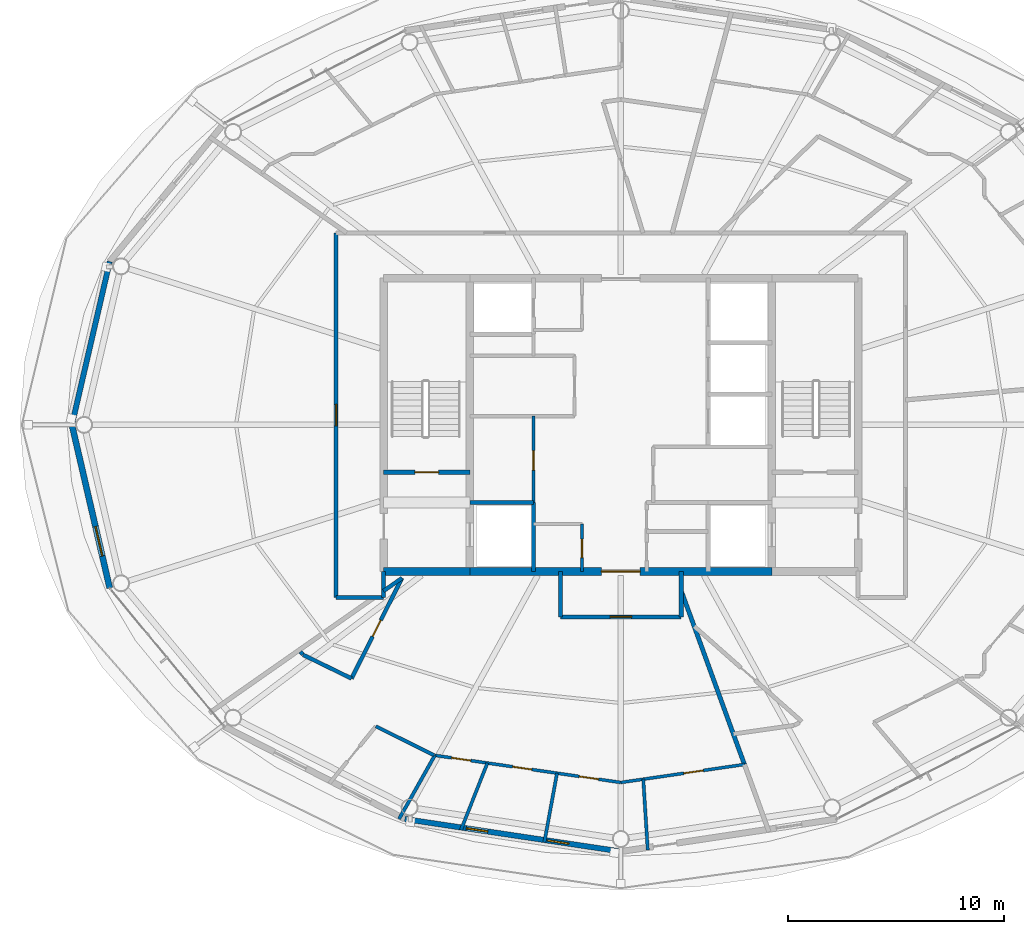
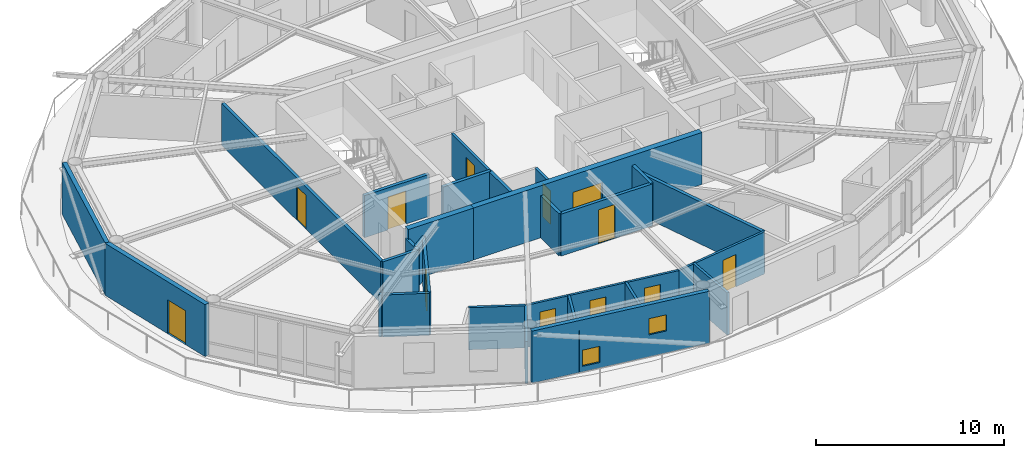
# One storey, part 16 of 23: 28 walls, 12 doors, 2 windows, 14 openings.
"""IFC4 building model written with IfcOpenShell, lengths in metres."""

from ifc_helpers import new_model, si_unit, direction, frame, frame_2d, origin, place, context, subcontext, project, spatial, rectangle, extrude, material, layer, layer_set, type_object, element, fill, save


model = new_model("IFC4")

# Units and contexts
model_context = context("Model", 3, precision=1e-05, world=origin(), true_north=direction((0.0, 1.0)))
body_context = subcontext(model_context, "Body", "Model", "MODEL_VIEW")
ifc_project = project(units=[si_unit("LENGTHUNIT", "METRE"), si_unit("AREAUNIT", "SQUARE_METRE"), si_unit("VOLUMEUNIT", "CUBIC_METRE"), si_unit("PLANEANGLEUNIT", "RADIAN"), si_unit("MASSUNIT", "GRAM", prefix="KILO")], contexts=[model_context])

# Site, building, storey
site_placement = place(None, origin())
site = spatial("IfcSite", under=ifc_project, at=site_placement, CompositionType="ELEMENT")
building_placement = place(site_placement, origin())
building = spatial("IfcBuilding", under=site, at=building_placement, Name="Sarneth Arch Tower", CompositionType="ELEMENT")
storey_placement = place(building_placement, frame((0.0, 0.0, 276.60009765625)))
storey = spatial("IfcBuildingStorey", under=building, at=storey_placement, Name="L71", CompositionType="ELEMENT", Elevation=276.60009765625)

# Wall
ifc_material_1 = material(Name="Concrete C50/60", Category="concrete")
ifc_layer_1 = layer(ifc_material_1, 0.35009765625)
ifc_layer_set_1 = layer_set([ifc_layer_1], Name="Concrete C50/60")
wall_type_1 = type_object("IfcWallType", Name="WALL-CORE-350", PredefinedType="SHEAR", material=ifc_layer_set_1)
wall_1_placement = place(storey_placement, frame((37.0, 35.199951171875, 0.0), z_axis=(0.0, 0.0, 1.0), x_axis=(1.0, 0.0, 0.0)))
element("IfcWall", 1, at=wall_1_placement, inside=storey, type_object=wall_type_1, Name="L71 Core shear wall S-W", PredefinedType="SHEAR", context=body_context, shape_type="SweptSolid", body=[
    extrude(rectangle(XDim=4.0, YDim=0.35009765625, at=frame_2d((2.0, 0.0))), origin(), (0.0, 0.0, 1.0), 3.369873046875),
])

# Wall, opening, door
wall_2_placement = place(storey_placement, frame((41.0, 35.199951171875, 0.0), z_axis=(0.0, 0.0, 1.0), x_axis=(1.0, 0.0, 0.0)))
wall_2 = element("IfcWall", 2, at=wall_2_placement, inside=storey, type_object=wall_type_1, Name="L71 Core shear wall S-M", PredefinedType="SHEAR", context=body_context, shape_type="SweptSolid", body=[
    extrude(rectangle(XDim=14.0, YDim=0.35009765625, at=frame_2d((7.0, 0.0))), origin(), (0.0, 0.0, 1.0), 3.369873046875),
])
opening_1_placement = place(wall_2_placement, frame((6.10009765625, 0.0, 0.0)))
opening_1 = element("IfcOpeningElement", 3, at=opening_1_placement, cuts=wall_2, Name="Opening FD-01", PredefinedType="OPENING", context=body_context, shape_type="SweptSolid", body=[
    extrude(rectangle(XDim=1.800048828125, YDim=2.25, at=frame_2d((0.89990234375, 1.125))), frame((0.0, 0.18505859375, 0.0), z_axis=(0.0, -1.0, 0.0), x_axis=(1.0, 0.0, 0.0)), (0.0, 0.0, 1.0), 0.3701171875),
])
ifc_material_2 = material(Name="Galvanised Steel S275 fire door set", Category="steel")
door_type_1 = type_object("IfcDoorType", Name="DR-FD90-1800", OperationType="DOUBLE_DOOR_SINGLE_SWING", PredefinedType="DOOR", material=ifc_material_2)
door_1_placement = place(opening_1_placement, origin())
door_1 = element("IfcDoor", 4, at=door_1_placement, inside=storey, type_object=door_type_1, Name="L71 Central lift lobby south door", OperationType="DOUBLE_DOOR_SINGLE_SWING", OverallHeight=2.25, OverallWidth=1.800048828125, PredefinedType="DOOR", context=body_context, shape_type="SweptSolid", body=[
    extrude(rectangle(XDim=1.800048828125, YDim=2.25, at=frame_2d((0.89990234375, 1.125))), frame((0.0, 0.02490234375, 0.0), z_axis=(0.0, -1.0, 0.0), x_axis=(1.0, 0.0, 0.0)), (0.0, 0.0, 1.0), 0.050048828125),
])
fill(opening_1, door_1)

ifc_material_3 = material(Name="Double steel-stud corridor fire wall", Category="steel")
ifc_layer_2 = layer(ifc_material_3, 0.18994140625)
ifc_layer_set_2 = layer_set([ifc_layer_2], Name="Double steel-stud corridor fire wall")
wall_type_2 = type_object("IfcWallType", Name="WALL-CORR-190", PredefinedType="PARTITIONING", material=ifc_layer_set_2)
wall_3_placement = place(storey_placement, frame((34.800048828125, 34.0, 0.0), z_axis=(0.0, 0.0, 1.0), x_axis=(0.0, 1.0, 0.0)))
wall_3 = element("IfcWall", 5, at=wall_3_placement, inside=storey, type_object=wall_type_2, Name="L71 Interior partition W-L71-TP-008", PredefinedType="PARTITIONING", context=body_context, shape_type="SweptSolid", body=[
    extrude(rectangle(XDim=16.89990234375, YDim=0.18994140625, at=frame_2d((8.449951171875, 0.0))), origin(), (0.0, 0.0, 1.0), 2.72998046875),
])
opening_2_placement = place(wall_3_placement, frame((7.949951171875, 0.0, 0.0)))
opening_2 = element("IfcOpeningElement", 6, at=opening_2_placement, cuts=wall_3, Name="Opening FD-08", PredefinedType="OPENING", context=body_context, shape_type="SweptSolid", body=[
    extrude(rectangle(XDim=1.0, YDim=2.199951171875, at=frame_2d((0.5, 1.10009765625))), frame((0.0, 0.10498046875, 0.0), z_axis=(0.0, -1.0, 0.0), x_axis=(1.0, 0.0, 0.0)), (0.0, 0.0, 1.0), 0.2099609375),
])
ifc_material_4 = material(Name="Hardwood timber acoustic fire door", Category="wood")
door_type_2 = type_object("IfcDoorType", Name="DR-FD60-1000", OperationType="SINGLE_SWING_LEFT", PredefinedType="DOOR", material=ifc_material_4)
door_2_placement = place(opening_2_placement, origin())
door_2 = element("IfcDoor", 7, at=door_2_placement, inside=storey, type_object=door_type_2, Name="L71 Interior door DR-L71-RAMN-03", OperationType="SINGLE_SWING_LEFT", OverallHeight=2.199951171875, OverallWidth=1.0, PredefinedType="DOOR", context=body_context, shape_type="SweptSolid", body=[
    extrude(rectangle(XDim=1.0, YDim=2.199951171875, at=frame_2d((0.5, 1.10009765625))), frame((0.0, 0.02490234375, 0.0), z_axis=(0.0, -1.0, 0.0), x_axis=(1.0, 0.0, 0.0)), (0.0, 0.0, 1.0), 0.050048828125),
])
fill(opening_2, door_2)

wall_4_placement = place(storey_placement, frame((50.800048828125, 33.10009765625, 0.0), z_axis=(0.0, 0.0, 1.0), x_axis=(-1.0, 0.0, 0.0)))
wall_4 = element("IfcWall", 8, at=wall_4_placement, inside=storey, type_object=wall_type_2, Name="L71 Interior partition W-L71-TP-016", PredefinedType="PARTITIONING", context=body_context, shape_type="SweptSolid", body=[
    extrude(rectangle(XDim=5.60009765625, YDim=0.18994140625, at=frame_2d((2.800048828125, 0.0))), origin(), (0.0, 0.0, 1.0), 2.72998046875),
])
opening_3_placement = place(wall_4_placement, frame((2.300048828125, 0.0, 0.0)))
opening_3 = element("IfcOpeningElement", 9, at=opening_3_placement, cuts=wall_4, Name="Opening FD-08", PredefinedType="OPENING", context=body_context, shape_type="SweptSolid", body=[
    extrude(rectangle(XDim=1.0, YDim=2.199951171875, at=frame_2d((0.5, 1.10009765625))), frame((0.0, 0.10498046875, 0.0), z_axis=(0.0, -1.0, 0.0), x_axis=(1.0, 0.0, 0.0)), (0.0, 0.0, 1.0), 0.2099609375),
])
door_3_placement = place(opening_3_placement, origin())
door_3 = element("IfcDoor", 10, at=door_3_placement, inside=storey, type_object=door_type_2, Name="L71 Interior door DR-L71-U4-ENT", OperationType="SINGLE_SWING_LEFT", OverallHeight=2.199951171875, OverallWidth=1.0, PredefinedType="DOOR", context=body_context, shape_type="SweptSolid", body=[
    extrude(rectangle(XDim=1.0, YDim=2.199951171875, at=frame_2d((0.5, 1.10009765625))), frame((0.0, 0.02490234375, 0.0), z_axis=(0.0, -1.0, 0.0), x_axis=(1.0, 0.0, 0.0)), (0.0, 0.0, 1.0), 0.050048828125),
])
fill(opening_3, door_3)

# Walls
wall_5_placement = place(storey_placement, frame((45.199951171875, 33.10009765625, 0.0), z_axis=(0.0, 0.0, 1.0), x_axis=(0.0, 1.0, 0.0)))
element("IfcWall", 11, at=wall_5_placement, inside=storey, type_object=wall_type_2, Name="L71 Interior partition W-L71-TP-017", PredefinedType="PARTITIONING", context=body_context, shape_type="SweptSolid", body=[
    extrude(rectangle(XDim=2.099853515625, YDim=0.18994140625, at=frame_2d((1.0498046875, 0.0))), origin(), (0.0, 0.0, 1.0), 2.72998046875),
])
wall_6_placement = place(storey_placement, frame((37.0, 34.0, 0.0), z_axis=(0.0, 0.0, 1.0), x_axis=(-1.0, 0.0, 0.0)))
element("IfcWall", 12, at=wall_6_placement, inside=storey, type_object=wall_type_2, Name="L71 Interior partition W-L71-TP-007", PredefinedType="PARTITIONING", context=body_context, shape_type="SweptSolid", body=[
    extrude(rectangle(XDim=2.199951171875, YDim=0.18994140625, at=frame_2d((1.10009765625, 0.0))), origin(), (0.0, 0.0, 1.0), 2.72998046875),
])
wall_7_placement = place(storey_placement, frame((50.800048828125, 35.199951171875, 0.0), z_axis=(0.0, 0.0, 1.0), x_axis=(0.0, -1.0, 0.0)))
element("IfcWall", 13, at=wall_7_placement, inside=storey, type_object=wall_type_2, Name="L71 Interior partition W-L71-TP-015", PredefinedType="PARTITIONING", context=body_context, shape_type="SweptSolid", body=[
    extrude(rectangle(XDim=2.099853515625, YDim=0.18994140625, at=frame_2d((1.0498046875, 0.0))), origin(), (0.0, 0.0, 1.0), 2.72998046875),
])
wall_8_placement = place(storey_placement, frame((37.0, 35.199951171875, 0.0), z_axis=(0.0, 0.0, 1.0), x_axis=(0.0, -1.0, 0.0)))
element("IfcWall", 14, at=wall_8_placement, inside=storey, type_object=wall_type_2, Name="L71 Interior partition W-L71-TP-098", PredefinedType="PARTITIONING", context=body_context, shape_type="SweptSolid", body=[
    extrude(rectangle(XDim=1.199951171875, YDim=0.18994140625, at=frame_2d((0.60009765625, 0.0))), origin(), (0.0, 0.0, 1.0), 2.72998046875),
])
ifc_material_5 = material(Name="Extruded terracotta rainscreen on Concrete C40/50 backing", Category="masonry")
ifc_layer_3 = layer(ifc_material_5, 0.25)
ifc_layer_set_3 = layer_set([ifc_layer_3], Name="Extruded terracotta rainscreen on Concrete C40/50 backing")
wall_type_3 = type_object("IfcWallType", Name="WALL-EXT-SPAND-250", PredefinedType="SOLIDWALL", material=ifc_layer_set_3)
wall_9_placement = place(storey_placement, frame((24.30615234375, 49.569580078125, 0.0), z_axis=(0.0, 0.0, 1.0), x_axis=(-0.225635078214, -0.974211892495, 0.0)))
element("IfcWall", 15, at=wall_9_placement, inside=storey, type_object=wall_type_3, Name="L71 Terracotta perimeter wall 08", PredefinedType="SOLIDWALL", context=body_context, shape_type="SweptSolid", body=[
    extrude(rectangle(XDim=7.77001953125, YDim=0.25, at=frame_2d((3.885009765625, 0.0))), origin(), (0.0, 0.0, 1.0), 3.369873046875),
])

# Wall, openings, windows
wall_10_placement = place(storey_placement, frame((37.9873046875, 23.7255859375, 0.0), z_axis=(0.0, 0.0, 1.0), x_axis=(0.988882522213, -0.148698881169, 0.0)))
wall_10 = element("IfcWall", 16, at=wall_10_placement, inside=storey, type_object=wall_type_3, Name="L71 Terracotta perimeter wall 12", PredefinedType="SOLIDWALL", context=body_context, shape_type="SweptSolid", body=[
    extrude(rectangle(XDim=10.125244140625, YDim=0.25, at=frame_2d((5.0625, 0.0))), origin(), (0.0, 0.0, 1.0), 3.369873046875),
])
opening_4_placement = place(wall_10_placement, frame((2.884765625, 0.0, 0.35009765625)))
opening_4 = element("IfcOpeningElement", 17, at=opening_4_placement, cuts=wall_10, Name="Opening W-14", PredefinedType="OPENING", context=body_context, shape_type="SweptSolid", body=[
    extrude(rectangle(XDim=1.0, YDim=1.050048828125, at=frame_2d((0.5, 0.52490234375))), frame((0.0, 0.135009765625, 0.0), z_axis=(0.0, -1.0, 0.0), x_axis=(1.0, 0.0, 0.0)), (0.0, 0.0, 1.0), 0.27001953125),
])
opening_5_placement = place(wall_10_placement, frame((6.69580078125, 0.0, 1.419921875)))
opening_5 = element("IfcOpeningElement", 18, at=opening_5_placement, cuts=wall_10, Name="Opening W-14", PredefinedType="OPENING", context=body_context, shape_type="SweptSolid", body=[
    extrude(rectangle(XDim=1.0, YDim=1.050048828125, at=frame_2d((0.5, 0.52490234375))), frame((0.0, 0.135009765625, 0.0), z_axis=(0.0, -1.0, 0.0), x_axis=(1.0, 0.0, 0.0)), (0.0, 0.0, 1.0), 0.27001953125),
])
ifc_material_6 = material(Name="Thermally broken Aluminium 6063-T6 and low-e laminated IGU", Category="aluminium")
window_type = type_object("IfcWindowType", Name="WIN-TWR-1000x1050", PartitioningType="SINGLE_PANEL", PredefinedType="WINDOW", material=ifc_material_6)
window_1_placement = place(opening_4_placement, origin())
window_1 = element("IfcWindow", 19, at=window_1_placement, inside=storey, type_object=window_type, Name="L71 Dwelling bedroom window 03", OverallHeight=1.050048828125, OverallWidth=1.0, PartitioningType="SINGLE_PANEL", PredefinedType="WINDOW", context=body_context, shape_type="SweptSolid", body=[
    extrude(rectangle(XDim=1.0, YDim=1.050048828125, at=frame_2d((0.5, 0.52490234375))), frame((0.0, 0.030029296875, 0.0), z_axis=(0.0, -1.0, 0.0), x_axis=(1.0, 0.0, 0.0)), (0.0, 0.0, 1.0), 0.06005859375),
])
fill(opening_4, window_1)
window_2_placement = place(opening_5_placement, origin())
window_2 = element("IfcWindow", 20, at=window_2_placement, inside=storey, type_object=window_type, Name="L71 Dwelling bedroom window 04", OverallHeight=1.050048828125, OverallWidth=1.0, PartitioningType="SINGLE_PANEL", PredefinedType="WINDOW", context=body_context, shape_type="SweptSolid", body=[
    extrude(rectangle(XDim=1.0, YDim=1.050048828125, at=frame_2d((0.5, 0.52490234375))), frame((0.0, 0.030029296875, 0.0), z_axis=(0.0, -1.0, 0.0), x_axis=(1.0, 0.0, 0.0)), (0.0, 0.0, 1.0), 0.06005859375),
])
fill(opening_5, window_2)

# Wall, opening, door
ifc_material_7 = material(Name="Extruded terracotta rainscreen on Concrete C40/50 backing", Category="masonry")
ifc_layer_4 = layer(ifc_material_7, 0.280029296875)
ifc_layer_set_4 = layer_set([ifc_layer_4], Name="Extruded terracotta rainscreen on Concrete C40/50 backing")
wall_type_4 = type_object("IfcWallType", Name="WALL-EXT-TERRA-280", PredefinedType="SOLIDWALL", material=ifc_layer_set_4)
wall_11_placement = place(storey_placement, frame((22.552978515625, 42.0, 0.0), z_axis=(0.0, 0.0, 1.0), x_axis=(0.225635078214, -0.974211892495, 0.0)))
wall_11 = element("IfcWall", 21, at=wall_11_placement, inside=storey, type_object=wall_type_4, Name="L71 Terracotta perimeter wall 09", PredefinedType="SOLIDWALL", context=body_context, shape_type="SweptSolid", body=[
    extrude(rectangle(XDim=7.77001953125, YDim=0.280029296875, at=frame_2d((3.885009765625, 0.0))), origin(), (0.0, 0.0, 1.0), 3.369873046875),
])
opening_6_placement = place(wall_11_placement, frame((4.842041015625, 0.0, 0.0)))
opening_6 = element("IfcOpeningElement", 22, at=opening_6_placement, cuts=wall_11, Name="Opening BD-2", PredefinedType="OPENING", context=body_context, shape_type="SweptSolid", body=[
    extrude(rectangle(XDim=1.39990234375, YDim=2.199951171875, at=frame_2d((0.699951171875, 1.10009765625))), frame((0.0, 0.14990234375, 0.0), z_axis=(0.0, -1.0, 0.0), x_axis=(1.0, 0.0, 0.0)), (0.0, 0.0, 1.0), 0.300048828125),
])
ifc_material_8 = material(Name="Thermally broken Aluminium 6063-T6 and laminated safety glass", Category="aluminium")
door_type_3 = type_object("IfcDoorType", Name="DR-BALC-GLZ-1400", OperationType="SINGLE_SWING_LEFT", PredefinedType="DOOR", material=ifc_material_8)
door_4_placement = place(opening_6_placement, origin())
door_4 = element("IfcDoor", 23, at=door_4_placement, inside=storey, type_object=door_type_3, Name="L71 Balcony glazed door 09", OperationType="SINGLE_SWING_LEFT", OverallHeight=2.199951171875, OverallWidth=1.39990234375, PredefinedType="DOOR", context=body_context, shape_type="SweptSolid", body=[
    extrude(rectangle(XDim=1.39990234375, YDim=2.199951171875, at=frame_2d((0.699951171875, 1.10009765625))), frame((0.0, 0.02490234375, 0.0), z_axis=(0.0, -1.0, 0.0), x_axis=(1.0, 0.0, 0.0)), (0.0, 0.0, 1.0), 0.050048828125),
])
fill(opening_6, door_4)

ifc_material_9 = material(Name="Apartment internal stud partition", Category="gypsum")
ifc_layer_5 = layer(ifc_material_9, 0.139892578125)
ifc_layer_set_5 = layer_set([ifc_layer_5], Name="Apartment internal stud partition")
wall_type_5 = type_object("IfcWallType", Name="WALL-PART-140", PredefinedType="PARTITIONING", material=ifc_layer_set_5)
wall_12_placement = place(storey_placement, frame((53.73046875, 26.255615234375, 0.0), z_axis=(0.0, 0.0, 1.0), x_axis=(-0.989539000253, -0.144265612597, 0.0)))
wall_12 = element("IfcWall", 24, at=wall_12_placement, inside=storey, type_object=wall_type_5, Name="L71 Interior partition W-L71-TP-072", PredefinedType="PARTITIONING", context=body_context, shape_type="SweptSolid", body=[
    extrude(rectangle(XDim=5.791015625, YDim=0.139892578125, at=frame_2d((2.8955078125, 0.0))), origin(), (0.0, 0.0, 1.0), 2.72998046875),
])
opening_7_placement = place(wall_12_placement, frame((1.93603515625, 0.0, 0.0)))
opening_7 = element("IfcOpeningElement", 25, at=opening_7_placement, cuts=wall_12, Name="Opening ID-01", PredefinedType="OPENING", context=body_context, shape_type="SweptSolid", body=[
    extrude(rectangle(XDim=0.89990234375, YDim=2.10009765625, at=frame_2d((0.449951171875, 1.050048828125))), frame((0.0, 0.079833984375, 0.0), z_axis=(0.0, -1.0, 0.0), x_axis=(1.0, 0.0, 0.0)), (0.0, 0.0, 1.0), 0.159912109375),
])
ifc_material_10 = material(Name="Engineered hardwood flush door", Category="wood")
door_type_4 = type_object("IfcDoorType", Name="DR-INT-900", OperationType="SINGLE_SWING_LEFT", PredefinedType="DOOR", material=ifc_material_10)
door_5_placement = place(opening_7_placement, origin())
door_5 = element("IfcDoor", 26, at=door_5_placement, inside=storey, type_object=door_type_4, Name="L71 Interior door DR-L71-U4-BED3", OperationType="SINGLE_SWING_RIGHT", OverallHeight=2.10009765625, OverallWidth=0.89990234375, PredefinedType="DOOR", context=body_context, shape_type="SweptSolid", body=[
    extrude(rectangle(XDim=0.89990234375, YDim=2.10009765625, at=frame_2d((0.449951171875, 1.050048828125))), frame((0.0, 0.02490234375, 0.0), z_axis=(0.0, -1.0, 0.0), x_axis=(1.0, 0.0, 0.0)), (0.0, 0.0, 1.0), 0.050048828125),
])
fill(opening_7, door_5)

# Wall, openings, doors
wall_13_placement = place(storey_placement, frame((48.0, 25.419921875, 0.0), z_axis=(0.0, 0.0, 1.0), x_axis=(-0.989534564718, 0.144296033307, 0.0)))
wall_13 = element("IfcWall", 27, at=wall_13_placement, inside=storey, type_object=wall_type_5, Name="L71 Interior partition W-L71-TP-069", PredefinedType="PARTITIONING", context=body_context, shape_type="SweptSolid", body=[
    extrude(rectangle(XDim=8.713623046875, YDim=0.139892578125, at=frame_2d((4.35693359375, 0.0))), origin(), (0.0, 0.0, 1.0), 2.72998046875),
])
opening_8_placement = place(wall_13_placement, frame((4.1708984375, 0.0, 0.0)))
opening_8 = element("IfcOpeningElement", 28, at=opening_8_placement, cuts=wall_13, Name="Opening ID-01", PredefinedType="OPENING", context=body_context, shape_type="SweptSolid", body=[
    extrude(rectangle(XDim=0.89990234375, YDim=2.10009765625, at=frame_2d((0.449951171875, 1.050048828125))), frame((0.0, 0.079833984375, 0.0), z_axis=(0.0, -1.0, 0.0), x_axis=(1.0, 0.0, 0.0)), (0.0, 0.0, 1.0), 0.159912109375),
])
opening_9_placement = place(wall_13_placement, frame((1.044677734375, 0.0, 0.0)))
opening_9 = element("IfcOpeningElement", 29, at=opening_9_placement, cuts=wall_13, Name="Opening ID-01", PredefinedType="OPENING", context=body_context, shape_type="SweptSolid", body=[
    extrude(rectangle(XDim=0.89990234375, YDim=2.10009765625, at=frame_2d((0.449951171875, 1.050048828125))), frame((0.0, 0.079833984375, 0.0), z_axis=(0.0, -1.0, 0.0), x_axis=(1.0, 0.0, 0.0)), (0.0, 0.0, 1.0), 0.159912109375),
])
opening_10_placement = place(wall_13_placement, frame((7.03271484375, 0.0, 0.0)))
opening_10 = element("IfcOpeningElement", 30, at=opening_10_placement, cuts=wall_13, Name="Opening ID-01", PredefinedType="OPENING", context=body_context, shape_type="SweptSolid", body=[
    extrude(rectangle(XDim=0.89990234375, YDim=2.10009765625, at=frame_2d((0.449951171875, 1.050048828125))), frame((0.0, 0.079833984375, 0.0), z_axis=(0.0, -1.0, 0.0), x_axis=(1.0, 0.0, 0.0)), (0.0, 0.0, 1.0), 0.159912109375),
])
door_6_placement = place(opening_8_placement, origin())
door_6 = element("IfcDoor", 31, at=door_6_placement, inside=storey, type_object=door_type_4, Name="L71 Interior door DR-L71-U4-BED1", OperationType="SINGLE_SWING_LEFT", OverallHeight=2.10009765625, OverallWidth=0.89990234375, PredefinedType="DOOR", context=body_context, shape_type="SweptSolid", body=[
    extrude(rectangle(XDim=0.89990234375, YDim=2.10009765625, at=frame_2d((0.449951171875, 1.050048828125))), frame((0.0, 0.02490234375, 0.0), z_axis=(0.0, -1.0, 0.0), x_axis=(1.0, 0.0, 0.0)), (0.0, 0.0, 1.0), 0.050048828125),
])
fill(opening_8, door_6)
door_7_placement = place(opening_9_placement, origin())
door_7 = element("IfcDoor", 32, at=door_7_placement, inside=storey, type_object=door_type_4, Name="L71 Interior door DR-L71-U4-BED2", OperationType="SINGLE_SWING_RIGHT", OverallHeight=2.10009765625, OverallWidth=0.89990234375, PredefinedType="DOOR", context=body_context, shape_type="SweptSolid", body=[
    extrude(rectangle(XDim=0.89990234375, YDim=2.10009765625, at=frame_2d((0.449951171875, 1.050048828125))), frame((0.0, 0.02490234375, 0.0), z_axis=(0.0, -1.0, 0.0), x_axis=(1.0, 0.0, 0.0)), (0.0, 0.0, 1.0), 0.050048828125),
])
fill(opening_9, door_7)
door_8_placement = place(opening_10_placement, origin())
door_8 = element("IfcDoor", 33, at=door_8_placement, inside=storey, type_object=door_type_4, Name="L71 Interior door DR-L71-U4-STD", OperationType="SINGLE_SWING_LEFT", OverallHeight=2.10009765625, OverallWidth=0.89990234375, PredefinedType="DOOR", context=body_context, shape_type="SweptSolid", body=[
    extrude(rectangle(XDim=0.89990234375, YDim=2.10009765625, at=frame_2d((0.449951171875, 1.050048828125))), frame((0.0, 0.02490234375, 0.0), z_axis=(0.0, -1.0, 0.0), x_axis=(1.0, 0.0, 0.0)), (0.0, 0.0, 1.0), 0.050048828125),
])
fill(opening_10, door_8)

# Wall, opening, door
ifc_material_11 = material(Name="Acoustic gypsum stud partition", Category="gypsum")
ifc_layer_6 = layer(ifc_material_11, 0.14990234375)
ifc_layer_set_6 = layer_set([ifc_layer_6], Name="Acoustic gypsum stud partition")
wall_type_6 = type_object("IfcWallType", Name="WALL-PART-150", PredefinedType="PARTITIONING", material=ifc_layer_set_6)
wall_14_placement = place(storey_placement, frame((43.949951171875, 38.39990234375, 0.0), z_axis=(0.0, 0.0, 1.0), x_axis=(0.0, 1.0, 0.0)))
wall_14 = element("IfcWall", 34, at=wall_14_placement, inside=storey, type_object=wall_type_6, Name="L71 Interior partition W-L71-RECPL-E", PredefinedType="PARTITIONING", context=body_context, shape_type="SweptSolid", body=[
    extrude(rectangle(XDim=4.0, YDim=0.14990234375, at=frame_2d((2.0, 0.0))), origin(), (0.0, 0.0, 1.0), 2.72998046875),
])
opening_11_placement = place(wall_14_placement, frame((1.5, 0.0, 0.0)))
opening_11 = element("IfcOpeningElement", 35, at=opening_11_placement, cuts=wall_14, Name="Opening FD-10", PredefinedType="OPENING", context=body_context, shape_type="SweptSolid", body=[
    extrude(rectangle(XDim=0.89990234375, YDim=2.14990234375, at=frame_2d((0.449951171875, 1.074951171875))), frame((0.0, 0.0849609375, 0.0), z_axis=(0.0, -1.0, 0.0), x_axis=(1.0, 0.0, 0.0)), (0.0, 0.0, 1.0), 0.169921875),
])
ifc_material_12 = material(Name="Galvanised Steel S275 riser/service fire door", Category="steel")
door_type_5 = type_object("IfcDoorType", Name="DR-FD60-900", OperationType="SINGLE_SWING_LEFT", PredefinedType="DOOR", material=ifc_material_12)
door_9_placement = place(opening_11_placement, origin())
door_9 = element("IfcDoor", 36, at=door_9_placement, inside=storey, type_object=door_type_5, Name="L71 Interior door DR-L71-RECPL", OperationType="SINGLE_SWING_LEFT", OverallHeight=2.14990234375, OverallWidth=0.89990234375, PredefinedType="DOOR", context=body_context, shape_type="SweptSolid", body=[
    extrude(rectangle(XDim=0.89990234375, YDim=2.14990234375, at=frame_2d((0.449951171875, 1.074951171875))), frame((0.0, 0.02490234375, 0.0), z_axis=(0.0, -1.0, 0.0), x_axis=(1.0, 0.0, 0.0)), (0.0, 0.0, 1.0), 0.050048828125),
])
fill(opening_11, door_9)

wall_15_placement = place(storey_placement, frame((46.199951171875, 35.199951171875, 0.0), z_axis=(0.0, 0.0, 1.0), x_axis=(0.0, 1.0, 0.0)))
wall_15 = element("IfcWall", 37, at=wall_15_placement, inside=storey, type_object=wall_type_6, Name="L71 Interior partition W-L71-CSUP1-E", PredefinedType="PARTITIONING", context=body_context, shape_type="SweptSolid", body=[
    extrude(rectangle(XDim=2.199951171875, YDim=0.14990234375, at=frame_2d((1.10009765625, 0.0))), origin(), (0.0, 0.0, 1.0), 2.72998046875),
])
opening_12_placement = place(wall_15_placement, frame((0.64990234375, 0.0, 0.0)))
opening_12 = element("IfcOpeningElement", 38, at=opening_12_placement, cuts=wall_15, Name="Opening FD-11", PredefinedType="OPENING", context=body_context, shape_type="SweptSolid", body=[
    extrude(rectangle(XDim=0.85009765625, YDim=2.14990234375, at=frame_2d((0.425048828125, 1.074951171875))), frame((0.0, 0.0849609375, 0.0), z_axis=(0.0, -1.0, 0.0), x_axis=(1.0, 0.0, 0.0)), (0.0, 0.0, 1.0), 0.169921875),
])
ifc_material_13 = material(Name="Galvanised Steel S275 closet fire door", Category="steel")
door_type_6 = type_object("IfcDoorType", Name="DR-FD60-850", OperationType="SINGLE_SWING_LEFT", PredefinedType="DOOR", material=ifc_material_13)
door_10_placement = place(opening_12_placement, origin())
door_10 = element("IfcDoor", 39, at=door_10_placement, inside=storey, type_object=door_type_6, Name="L71 Interior door DR-L71-CSUP1", OperationType="SINGLE_SWING_LEFT", OverallHeight=2.14990234375, OverallWidth=0.85009765625, PredefinedType="DOOR", context=body_context, shape_type="SweptSolid", body=[
    extrude(rectangle(XDim=0.85009765625, YDim=2.14990234375, at=frame_2d((0.425048828125, 1.074951171875))), frame((0.0, 0.02490234375, 0.0), z_axis=(0.0, -1.0, 0.0), x_axis=(1.0, 0.0, 0.0)), (0.0, 0.0, 1.0), 0.050048828125),
])
fill(opening_12, door_10)

# Walls
wall_16_placement = place(storey_placement, frame((41.813232421875, 26.322265625, 0.0), z_axis=(0.0, 0.0, 1.0), x_axis=(-0.366986730156, -0.930226176738, 0.0)))
element("IfcWall", 40, at=wall_16_placement, inside=storey, type_object=wall_type_6, Name="L71 Interior partition W-L71-TP-077", PredefinedType="PARTITIONING", context=body_context, shape_type="SweptSolid", body=[
    extrude(rectangle(XDim=3.3388671875, YDim=0.14990234375, at=frame_2d((1.66943359375, 0.0))), origin(), (0.0, 0.0, 1.0), 2.72998046875),
])
wall_17_placement = place(storey_placement, frame((49.040283203125, 25.57177734375, 0.0), z_axis=(0.0, 0.0, 1.0), x_axis=(0.063195614113, -0.998001159497, 0.0)))
element("IfcWall", 41, at=wall_17_placement, inside=storey, type_object=wall_type_6, Name="L71 Interior partition W-L71-TP-079", PredefinedType="PARTITIONING", context=body_context, shape_type="SweptSolid", body=[
    extrude(rectangle(XDim=3.29150390625, YDim=0.14990234375, at=frame_2d((1.645751953125, 0.0))), origin(), (0.0, 0.0, 1.0), 2.72998046875),
])
wall_18_placement = place(storey_placement, frame((44.452392578125, 22.632080078125, 0.0), z_axis=(0.0, 0.0, 1.0), x_axis=(0.180152248802, 0.983638738182, 0.0)))
element("IfcWall", 42, at=wall_18_placement, inside=storey, type_object=wall_type_6, Name="L71 Interior partition W-L71-TP-078", PredefinedType="PARTITIONING", context=body_context, shape_type="SweptSolid", body=[
    extrude(rectangle(XDim=3.272705078125, YDim=0.14990234375, at=frame_2d((1.63623046875, 0.0))), origin(), (0.0, 0.0, 1.0), 2.72998046875),
])
ifc_material_14 = material(Name="Kitchen wet service chase wall", Category="gypsum")
ifc_layer_7 = layer(ifc_material_14, 0.159912109375)
ifc_layer_set_7 = layer_set([ifc_layer_7], Name="Kitchen wet service chase wall")
wall_type_7 = type_object("IfcWallType", Name="WALL-PLUMB-160", PredefinedType="PLUMBINGWALL", material=ifc_layer_set_7)
wall_19_placement = place(storey_placement, frame((37.718505859375, 23.728759765625, 0.0), z_axis=(0.0, 0.0, 1.0), x_axis=(0.490408553136, 0.871492656889, 0.0)))
element("IfcWall", 43, at=wall_19_placement, inside=storey, type_object=wall_type_7, Name="L71 Interior partition W-L71-TP-076", PredefinedType="PLUMBINGWALL", context=body_context, shape_type="SweptSolid", body=[
    extrude(rectangle(XDim=3.38330078125, YDim=0.159912109375, at=frame_2d((1.691650390625, 0.0))), origin(), (0.0, 0.0, 1.0), 2.72998046875),
])
wall_20_placement = place(storey_placement, frame((39.34521484375, 26.68212890625, 0.0), z_axis=(0.0, 0.0, 1.0), x_axis=(-0.895589359885, 0.44488166793, 0.0)))
element("IfcWall", 44, at=wall_20_placement, inside=storey, type_object=wall_type_7, Name="L71 Interior partition W-L71-TP-064", PredefinedType="PLUMBINGWALL", context=body_context, shape_type="SweptSolid", body=[
    extrude(rectangle(XDim=3.01708984375, YDim=0.159912109375, at=frame_2d((1.508544921875, 0.0))), origin(), (0.0, 0.0, 1.0), 2.72998046875),
])

# Wall, opening, door
ifc_material_15 = material(Name="Moisture-resistant plumbing chase wall", Category="gypsum")
ifc_layer_8 = layer(ifc_material_15, 0.179931640625)
ifc_layer_set_8 = layer_set([ifc_layer_8], Name="Moisture-resistant plumbing chase wall")
wall_type_8 = type_object("IfcWallType", Name="WALL-PLUMB-180", PredefinedType="PLUMBINGWALL", material=ifc_layer_set_8)
wall_21_placement = place(storey_placement, frame((37.854736328125, 34.896240234375, 0.0), z_axis=(0.0, 0.0, 1.0), x_axis=(-0.449274589412, -0.893393722447, 0.0)))
wall_21 = element("IfcWall", 45, at=wall_21_placement, inside=storey, type_object=wall_type_8, Name="L71 Interior partition W-L71-TP-066", PredefinedType="PLUMBINGWALL", context=body_context, shape_type="SweptSolid", body=[
    extrude(rectangle(XDim=5.209228515625, YDim=0.179931640625, at=frame_2d((2.6044921875, 0.0))), origin(), (0.0, 0.0, 1.0), 2.72998046875),
])
opening_13_placement = place(wall_21_placement, frame((2.1796875, 0.0, 0.0)))
opening_13 = element("IfcOpeningElement", 46, at=opening_13_placement, cuts=wall_21, Name="Opening ID-02", PredefinedType="OPENING", context=body_context, shape_type="SweptSolid", body=[
    extrude(rectangle(XDim=0.85009765625, YDim=2.10009765625, at=frame_2d((0.425048828125, 1.050048828125))), frame((0.0, 0.099853515625, 0.0), z_axis=(0.0, -1.0, 0.0), x_axis=(1.0, 0.0, 0.0)), (0.0, 0.0, 1.0), 0.199951171875),
])
ifc_material_16 = material(Name="Moisture-resistant bathroom timber door", Category="wood")
door_type_7 = type_object("IfcDoorType", Name="DR-INT-850", OperationType="SINGLE_SWING_RIGHT", PredefinedType="DOOR", material=ifc_material_16)
door_11_placement = place(opening_13_placement, origin())
door_11 = element("IfcDoor", 47, at=door_11_placement, inside=storey, type_object=door_type_7, Name="L71 Interior door DR-L71-U4-BATH", OperationType="SINGLE_SWING_RIGHT", OverallHeight=2.10009765625, OverallWidth=0.85009765625, PredefinedType="DOOR", context=body_context, shape_type="SweptSolid", body=[
    extrude(rectangle(XDim=0.85009765625, YDim=2.10009765625, at=frame_2d((0.425048828125, 1.050048828125))), frame((0.0, 0.02490234375, 0.0), z_axis=(0.0, -1.0, 0.0), x_axis=(1.0, 0.0, 0.0)), (0.0, 0.0, 1.0), 0.050048828125),
])
fill(opening_13, door_11)

# Walls
wall_22_placement = place(storey_placement, frame((35.514404296875, 30.242431640625, 0.0), z_axis=(0.0, 0.0, 1.0), x_axis=(-0.898915857852, 0.438121307975, 0.0)))
element("IfcWall", 48, at=wall_22_placement, inside=storey, type_object=wall_type_8, Name="L71 Interior partition W-L71-TP-067", PredefinedType="PLUMBINGWALL", context=body_context, shape_type="SweptSolid", body=[
    extrude(rectangle(XDim=2.498046875, YDim=0.179931640625, at=frame_2d((1.2490234375, 0.0))), origin(), (0.0, 0.0, 1.0), 2.72998046875),
])
wall_23_placement = place(storey_placement, frame((37.0, 34.297607421875, 0.0), z_axis=(0.0, 0.0, 1.0), x_axis=(0.81908900763, 0.573666451502, 0.0)))
element("IfcWall", 49, at=wall_23_placement, inside=storey, type_object=wall_type_8, Name="L71 Interior partition W-L71-TP-099", PredefinedType="PLUMBINGWALL", context=body_context, shape_type="SweptSolid", body=[
    extrude(rectangle(XDim=1.04345703125, YDim=0.179931640625, at=frame_2d((0.521728515625, 0.0))), origin(), (0.0, 0.0, 1.0), 2.72998046875),
])
wall_24_placement = place(storey_placement, frame((33.2529296875, 31.35498046875, 0.0), z_axis=(0.0, 0.0, 1.0), x_axis=(-0.656323784366, 0.754479350331, 0.0)))
element("IfcWall", 50, at=wall_24_placement, inside=storey, type_object=wall_type_8, Name="L71 Interior partition W-L71-TP-068", PredefinedType="PLUMBINGWALL", context=body_context, shape_type="SweptSolid", body=[
    extrude(rectangle(XDim=0.166748046875, YDim=0.179931640625, at=frame_2d((0.08349609375, 0.0))), origin(), (0.0, 0.0, 1.0), 2.72998046875),
])

# Wall, opening, door
ifc_material_17 = material(Name="Aerated concrete blockwork C25/30", Category="masonry")
ifc_layer_9 = layer(ifc_material_17, 0.199951171875)
ifc_layer_set_9 = layer_set([ifc_layer_9], Name="Aerated concrete blockwork C25/30")
wall_type_9 = type_object("IfcWallType", Name="WALL-SHAFT-200", PredefinedType="SOLIDWALL", material=ifc_layer_set_9)
wall_25_placement = place(storey_placement, frame((37.0, 39.800048828125, 0.0), z_axis=(0.0, 0.0, 1.0), x_axis=(1.0, 0.0, 0.0)))
wall_25 = element("IfcWall", 51, at=wall_25_placement, inside=storey, type_object=wall_type_9, Name="L71 Interior partition W-L71-ST1-S", PredefinedType="SOLIDWALL", context=body_context, shape_type="SweptSolid", body=[
    extrude(rectangle(XDim=4.0, YDim=0.199951171875, at=frame_2d((2.0, 0.0))), origin(), (0.0, 0.0, 1.0), 2.72998046875),
])
opening_14_placement = place(wall_25_placement, frame((1.449951171875, 0.0, 0.0)))
opening_14 = element("IfcOpeningElement", 52, at=opening_14_placement, cuts=wall_25, Name="Opening FD-03", PredefinedType="OPENING", context=body_context, shape_type="SweptSolid", body=[
    extrude(rectangle(XDim=1.10009765625, YDim=2.14990234375, at=frame_2d((0.550048828125, 1.074951171875))), frame((0.0, 0.10986328125, 0.0), z_axis=(0.0, -1.0, 0.0), x_axis=(1.0, 0.0, 0.0)), (0.0, 0.0, 1.0), 0.219970703125),
])
ifc_material_18 = material(Name="Galvanised Steel S275 fire door set", Category="steel")
door_type_8 = type_object("IfcDoorType", Name="DR-FD90-1100", OperationType="SINGLE_SWING_LEFT", PredefinedType="DOOR", material=ifc_material_18)
door_12_placement = place(opening_14_placement, origin())
door_12 = element("IfcDoor", 53, at=door_12_placement, inside=storey, type_object=door_type_8, Name="L71 Interior door DR-L71-ST1", OperationType="SINGLE_SWING_LEFT", OverallHeight=2.14990234375, OverallWidth=1.10009765625, PredefinedType="DOOR", context=body_context, shape_type="SweptSolid", body=[
    extrude(rectangle(XDim=1.10009765625, YDim=2.14990234375, at=frame_2d((0.550048828125, 1.074951171875))), frame((0.0, 0.02490234375, 0.0), z_axis=(0.0, -1.0, 0.0), x_axis=(1.0, 0.0, 0.0)), (0.0, 0.0, 1.0), 0.050048828125),
])
fill(opening_14, door_12)

# Walls
wall_26_placement = place(storey_placement, frame((43.949951171875, 35.199951171875, 0.0), z_axis=(0.0, 0.0, 1.0), x_axis=(0.0, 1.0, 0.0)))
element("IfcWall", 54, at=wall_26_placement, inside=storey, type_object=wall_type_9, Name="L71 Interior partition W-L71-FL1-E", PredefinedType="SOLIDWALL", context=body_context, shape_type="SweptSolid", body=[
    extrude(rectangle(XDim=3.199951171875, YDim=0.199951171875, at=frame_2d((1.60009765625, 0.0))), origin(), (0.0, 0.0, 1.0), 2.72998046875),
])
wall_27_placement = place(storey_placement, frame((41.0, 38.39990234375, 0.0), z_axis=(0.0, 0.0, 1.0), x_axis=(1.0, 0.0, 0.0)))
element("IfcWall", 55, at=wall_27_placement, inside=storey, type_object=wall_type_9, Name="L71 Interior partition W-L71-FL1-N", PredefinedType="SOLIDWALL", context=body_context, shape_type="SweptSolid", body=[
    extrude(rectangle(XDim=2.949951171875, YDim=0.199951171875, at=frame_2d((1.47509765625, 0.0))), origin(), (0.0, 0.0, 1.0), 2.72998046875),
])
ifc_material_19 = material(Name="Double steel-stud acoustic drywall", Category="steel")
ifc_layer_10 = layer(ifc_material_19, 0.199951171875)
ifc_layer_set_10 = layer_set([ifc_layer_10], Name="Double steel-stud acoustic drywall")
wall_type_10 = type_object("IfcWallType", Name="WALL-UNIT-200", PredefinedType="PARTITIONING", material=ifc_layer_set_10)
wall_28_placement = place(storey_placement, frame((50.800048828125, 34.30712890625, 0.0), z_axis=(0.0, 0.0, 1.0), x_axis=(0.342010724278, -0.939696048985, 0.0)))
element("IfcWall", 56, at=wall_28_placement, inside=storey, type_object=wall_type_10, Name="L71 Interior partition W-L71-TP-075", PredefinedType="PARTITIONING", context=body_context, shape_type="SweptSolid", body=[
    extrude(rectangle(XDim=8.568115234375, YDim=0.199951171875, at=frame_2d((4.2841796875, 0.0))), origin(), (0.0, 0.0, 1.0), 2.72998046875),
])

save(model, "model.ifc")
